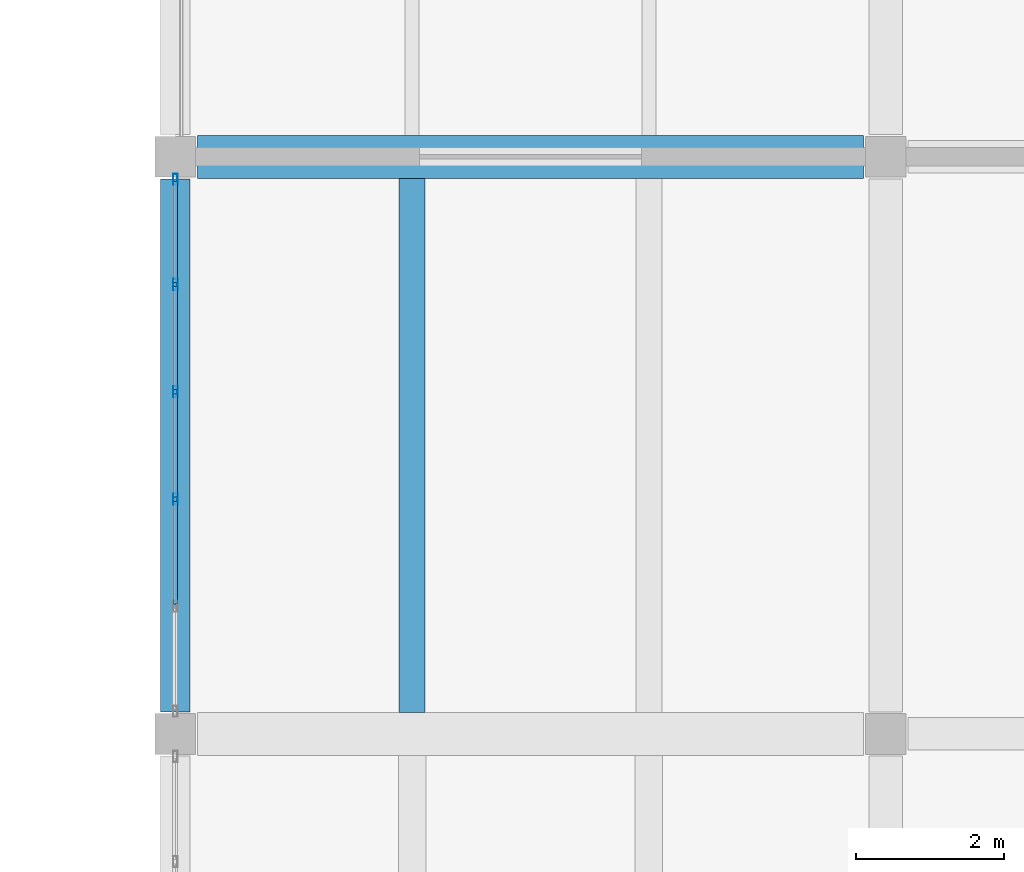
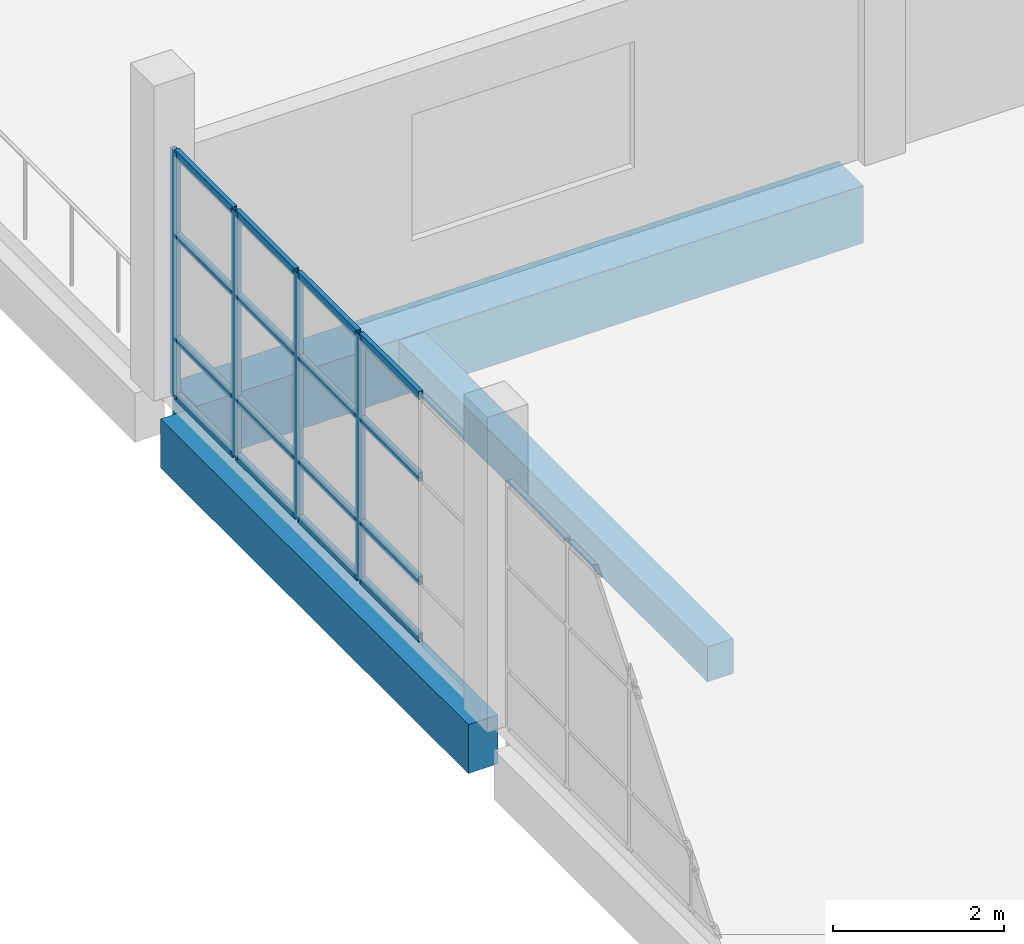
# One storey, part 24 of 67: 20 members, 3 beams, 1 element without a shape of its own.
"""IFC4 building model written with IfcOpenShell, lengths in metres."""

from ifc_helpers import new_model, si_unit, direction, frame, origin, origin_2d, place, context, subcontext, project, spatial, rectangle, hollow_rectangle, extrude, material, material_profile, profile_set, type_object, element, aggregate, save


model = new_model("IFC4")

# Units and contexts
model_context = context("Model", 3, precision=1e-05, world=origin(), true_north=direction((0.0, 1.0)))
body_context = subcontext(model_context, "Body", "Model", "MODEL_VIEW")
ifc_project = project(units=[si_unit("LENGTHUNIT", "METRE"), si_unit("AREAUNIT", "SQUARE_METRE"), si_unit("VOLUMEUNIT", "CUBIC_METRE"), si_unit("PLANEANGLEUNIT", "RADIAN"), si_unit("MASSUNIT", "GRAM", prefix="KILO")], contexts=[model_context])

# Site, building, storey
site_placement = place(None, origin())
site = spatial("IfcSite", under=ifc_project, at=site_placement, CompositionType="ELEMENT")
building_placement = place(site_placement, origin())
building = spatial("IfcBuilding", under=site, at=building_placement, Name="Pellamere Symphony Hall", CompositionType="ELEMENT")
storey_placement = place(building_placement, frame((0.0, 0.0, 19.5)))
storey = spatial("IfcBuildingStorey", under=building, at=storey_placement, Name="L04", CompositionType="ELEMENT", Elevation=19.5)

# Curtain wall, members
ifc_material_1 = material(Name="Thermally Broken Anodised Aluminium 6063-T6 Curtain Wall", Category="aluminium")
curtain_wall_type = type_object("IfcCurtainWallType", Name="Curtain Wall CW-05 (Artists Wing North Studio Ribbon Curtain Wall)", PredefinedType="NOTDEFINED", material=ifc_material_1)
curtain_wall_placement = place(storey_placement, origin())
curtain_wall = element("IfcCurtainWall", 1, at=curtain_wall_placement, inside=storey, type_object=curtain_wall_type, Name="Sculpture Court East Wing Curtain Wall (L04 Bay 2)", PredefinedType="NOTDEFINED")
ifc_material_2 = material(Name="Anodised Architectural Aluminium 6063-T6", Category="aluminium")
ifc_material_profile_1 = material_profile(ifc_material_2, hollow_rectangle(XDim=0.06005859375, YDim=0.14990234375, WallThickness=0.00390625, at=origin_2d()), Name="ALU-M60X150X4")
ifc_profile_set_1 = profile_set([ifc_material_profile_1], Name="Anodised Architectural Aluminium 6063-T6")
member_type_1 = type_object("IfcMemberType", Name="Curtain Wall Mullion ML-03 ALU-M60X150X4", PredefinedType="MULLION", material=ifc_profile_set_1)
member_1_placement = place(storey_placement, frame((138.0, 72.77490234375, 0.0), z_axis=(0.0, 0.0, 1.0), x_axis=(-1.0, 0.0, 0.0)))
member_1 = element("IfcMember", 2, at=member_1_placement, type_object=member_type_1, Name="CW5-147 crystal mullion 3", PredefinedType="MULLION", context=body_context, shape_type="SweptSolid", body=[
    extrude(hollow_rectangle(XDim=0.06005859375, YDim=0.14990234375, WallThickness=0.00390625, at=origin_2d()), origin(), (0.0, 0.0, 1.0), 3.52001953125),
])
member_2_placement = place(storey_placement, frame((138.0, 74.22509765625, 0.0), z_axis=(0.0, 0.0, 1.0), x_axis=(-1.0, 0.0, 0.0)))
member_2 = element("IfcMember", 3, at=member_2_placement, type_object=member_type_1, Name="CW5-147 crystal mullion 4", PredefinedType="MULLION", context=body_context, shape_type="SweptSolid", body=[
    extrude(hollow_rectangle(XDim=0.06005859375, YDim=0.14990234375, WallThickness=0.00390625, at=origin_2d()), origin(), (0.0, 0.0, 1.0), 3.52001953125),
])
member_3_placement = place(storey_placement, frame((138.0, 75.675048828125, 0.0), z_axis=(0.0, 0.0, 1.0), x_axis=(-1.0, 0.0, 0.0)))
member_3 = element("IfcMember", 4, at=member_3_placement, type_object=member_type_1, Name="CW5-147 crystal mullion 5", PredefinedType="MULLION", context=body_context, shape_type="SweptSolid", body=[
    extrude(hollow_rectangle(XDim=0.06005859375, YDim=0.14990234375, WallThickness=0.00390625, at=origin_2d()), origin(), (0.0, 0.0, 1.0), 3.52001953125),
])
member_4_placement = place(storey_placement, frame((138.0, 77.094970703125, 0.0), z_axis=(0.0, 0.0, 1.0), x_axis=(-1.0, 0.0, 0.0)))
member_4 = element("IfcMember", 5, at=member_4_placement, type_object=member_type_1, Name="CW5-147 crystal mullion 6", PredefinedType="MULLION", context=body_context, shape_type="SweptSolid", body=[
    extrude(hollow_rectangle(XDim=0.06005859375, YDim=0.14990234375, WallThickness=0.00390625, at=origin_2d()), origin(), (0.0, 0.0, 1.0), 3.52001953125),
])
ifc_material_profile_2 = material_profile(ifc_material_2, hollow_rectangle(XDim=0.06005859375, YDim=0.1201171875, WallThickness=0.00390625, at=origin_2d()), Name="ALU-T60X120X4")
ifc_profile_set_2 = profile_set([ifc_material_profile_2], Name="Anodised Architectural Aluminium 6063-T6")
member_type_2 = type_object("IfcMemberType", Name="Curtain Wall Transom TR-03 ALU-T60X120X4", PredefinedType="USERDEFINED", material=ifc_profile_set_2)
member_5_placement = place(storey_placement, frame((138.0, 71.35498046875, 0.030029296875), z_axis=(0.0, 1.0, 0.0), x_axis=(-1.0, 0.0, 0.0)))
member_5 = element("IfcMember", 6, at=member_5_placement, type_object=member_type_2, Name="CW5-147 crystal transom 2.1", ObjectType="TRANSOM", PredefinedType="USERDEFINED", context=body_context, shape_type="SweptSolid", body=[
    extrude(hollow_rectangle(XDim=0.06005859375, YDim=0.1201171875, WallThickness=0.00390625, at=origin_2d()), origin(), (0.0, 0.0, 1.0), 1.39013671875),
])
member_6_placement = place(storey_placement, frame((138.0, 71.35498046875, 0.8447265625), z_axis=(0.0, 1.0, 0.0), x_axis=(-1.0, 0.0, 0.0)))
member_6 = element("IfcMember", 7, at=member_6_placement, type_object=member_type_2, Name="CW5-147 crystal transom 2.2", ObjectType="TRANSOM", PredefinedType="USERDEFINED", context=body_context, shape_type="SweptSolid", body=[
    extrude(hollow_rectangle(XDim=0.06005859375, YDim=0.1201171875, WallThickness=0.00390625, at=origin_2d()), origin(), (0.0, 0.0, 1.0), 1.39013671875),
])
member_7_placement = place(storey_placement, frame((138.0, 71.35498046875, 2.3232421875), z_axis=(0.0, 1.0, 0.0), x_axis=(-1.0, 0.0, 0.0)))
member_7 = element("IfcMember", 8, at=member_7_placement, type_object=member_type_2, Name="CW5-147 crystal transom 2.3", ObjectType="TRANSOM", PredefinedType="USERDEFINED", context=body_context, shape_type="SweptSolid", body=[
    extrude(hollow_rectangle(XDim=0.06005859375, YDim=0.1201171875, WallThickness=0.00390625, at=origin_2d()), origin(), (0.0, 0.0, 1.0), 1.39013671875),
])
member_8_placement = place(storey_placement, frame((138.0, 71.35498046875, 3.489990234375), z_axis=(0.0, 1.0, 0.0), x_axis=(-1.0, 0.0, 0.0)))
member_8 = element("IfcMember", 9, at=member_8_placement, type_object=member_type_2, Name="CW5-147 crystal transom 2.4", ObjectType="TRANSOM", PredefinedType="USERDEFINED", context=body_context, shape_type="SweptSolid", body=[
    extrude(hollow_rectangle(XDim=0.06005859375, YDim=0.1201171875, WallThickness=0.00390625, at=origin_2d()), origin(), (0.0, 0.0, 1.0), 1.39013671875),
])
member_9_placement = place(storey_placement, frame((138.0, 72.804931640625, 0.030029296875), z_axis=(0.0, 1.0, 0.0), x_axis=(-1.0, 0.0, 0.0)))
member_9 = element("IfcMember", 10, at=member_9_placement, type_object=member_type_2, Name="CW5-147 crystal transom 3.1", ObjectType="TRANSOM", PredefinedType="USERDEFINED", context=body_context, shape_type="SweptSolid", body=[
    extrude(hollow_rectangle(XDim=0.06005859375, YDim=0.1201171875, WallThickness=0.00390625, at=origin_2d()), origin(), (0.0, 0.0, 1.0), 1.39013671875),
])
member_10_placement = place(storey_placement, frame((138.0, 72.804931640625, 0.8447265625), z_axis=(0.0, 1.0, 0.0), x_axis=(-1.0, 0.0, 0.0)))
member_10 = element("IfcMember", 11, at=member_10_placement, type_object=member_type_2, Name="CW5-147 crystal transom 3.2", ObjectType="TRANSOM", PredefinedType="USERDEFINED", context=body_context, shape_type="SweptSolid", body=[
    extrude(hollow_rectangle(XDim=0.06005859375, YDim=0.1201171875, WallThickness=0.00390625, at=origin_2d()), origin(), (0.0, 0.0, 1.0), 1.39013671875),
])
member_11_placement = place(storey_placement, frame((138.0, 72.804931640625, 2.3232421875), z_axis=(0.0, 1.0, 0.0), x_axis=(-1.0, 0.0, 0.0)))
member_11 = element("IfcMember", 12, at=member_11_placement, type_object=member_type_2, Name="CW5-147 crystal transom 3.3", ObjectType="TRANSOM", PredefinedType="USERDEFINED", context=body_context, shape_type="SweptSolid", body=[
    extrude(hollow_rectangle(XDim=0.06005859375, YDim=0.1201171875, WallThickness=0.00390625, at=origin_2d()), origin(), (0.0, 0.0, 1.0), 1.39013671875),
])
member_12_placement = place(storey_placement, frame((138.0, 72.804931640625, 3.489990234375), z_axis=(0.0, 1.0, 0.0), x_axis=(-1.0, 0.0, 0.0)))
member_12 = element("IfcMember", 13, at=member_12_placement, type_object=member_type_2, Name="CW5-147 crystal transom 3.4", ObjectType="TRANSOM", PredefinedType="USERDEFINED", context=body_context, shape_type="SweptSolid", body=[
    extrude(hollow_rectangle(XDim=0.06005859375, YDim=0.1201171875, WallThickness=0.00390625, at=origin_2d()), origin(), (0.0, 0.0, 1.0), 1.39013671875),
])
member_13_placement = place(storey_placement, frame((138.0, 74.2548828125, 0.030029296875), z_axis=(0.0, 1.0, 0.0), x_axis=(-1.0, 0.0, 0.0)))
member_13 = element("IfcMember", 14, at=member_13_placement, type_object=member_type_2, Name="CW5-147 crystal transom 4.1", ObjectType="TRANSOM", PredefinedType="USERDEFINED", context=body_context, shape_type="SweptSolid", body=[
    extrude(hollow_rectangle(XDim=0.06005859375, YDim=0.1201171875, WallThickness=0.00390625, at=origin_2d()), origin(), (0.0, 0.0, 1.0), 1.39013671875),
])
member_14_placement = place(storey_placement, frame((138.0, 74.2548828125, 0.8447265625), z_axis=(0.0, 1.0, 0.0), x_axis=(-1.0, 0.0, 0.0)))
member_14 = element("IfcMember", 15, at=member_14_placement, type_object=member_type_2, Name="CW5-147 crystal transom 4.2", ObjectType="TRANSOM", PredefinedType="USERDEFINED", context=body_context, shape_type="SweptSolid", body=[
    extrude(hollow_rectangle(XDim=0.06005859375, YDim=0.1201171875, WallThickness=0.00390625, at=origin_2d()), origin(), (0.0, 0.0, 1.0), 1.39013671875),
])
member_15_placement = place(storey_placement, frame((138.0, 74.2548828125, 2.3232421875), z_axis=(0.0, 1.0, 0.0), x_axis=(-1.0, 0.0, 0.0)))
member_15 = element("IfcMember", 16, at=member_15_placement, type_object=member_type_2, Name="CW5-147 crystal transom 4.3", ObjectType="TRANSOM", PredefinedType="USERDEFINED", context=body_context, shape_type="SweptSolid", body=[
    extrude(hollow_rectangle(XDim=0.06005859375, YDim=0.1201171875, WallThickness=0.00390625, at=origin_2d()), origin(), (0.0, 0.0, 1.0), 1.39013671875),
])
member_16_placement = place(storey_placement, frame((138.0, 74.2548828125, 3.489990234375), z_axis=(0.0, 1.0, 0.0), x_axis=(-1.0, 0.0, 0.0)))
member_16 = element("IfcMember", 17, at=member_16_placement, type_object=member_type_2, Name="CW5-147 crystal transom 4.4", ObjectType="TRANSOM", PredefinedType="USERDEFINED", context=body_context, shape_type="SweptSolid", body=[
    extrude(hollow_rectangle(XDim=0.06005859375, YDim=0.1201171875, WallThickness=0.00390625, at=origin_2d()), origin(), (0.0, 0.0, 1.0), 1.39013671875),
])
member_17_placement = place(storey_placement, frame((138.0, 75.705078125, 0.030029296875), z_axis=(0.0, 1.0, 0.0), x_axis=(-1.0, 0.0, 0.0)))
member_17 = element("IfcMember", 18, at=member_17_placement, type_object=member_type_2, Name="CW5-147 crystal transom 5.1", ObjectType="TRANSOM", PredefinedType="USERDEFINED", context=body_context, shape_type="SweptSolid", body=[
    extrude(hollow_rectangle(XDim=0.06005859375, YDim=0.1201171875, WallThickness=0.00390625, at=origin_2d()), origin(), (0.0, 0.0, 1.0), 1.35986328125),
])
member_18_placement = place(storey_placement, frame((138.0, 75.705078125, 0.8447265625), z_axis=(0.0, 1.0, 0.0), x_axis=(-1.0, 0.0, 0.0)))
member_18 = element("IfcMember", 19, at=member_18_placement, type_object=member_type_2, Name="CW5-147 crystal transom 5.2", ObjectType="TRANSOM", PredefinedType="USERDEFINED", context=body_context, shape_type="SweptSolid", body=[
    extrude(hollow_rectangle(XDim=0.06005859375, YDim=0.1201171875, WallThickness=0.00390625, at=origin_2d()), origin(), (0.0, 0.0, 1.0), 1.35986328125),
])
member_19_placement = place(storey_placement, frame((138.0, 75.705078125, 2.3232421875), z_axis=(0.0, 1.0, 0.0), x_axis=(-1.0, 0.0, 0.0)))
member_19 = element("IfcMember", 20, at=member_19_placement, type_object=member_type_2, Name="CW5-147 crystal transom 5.3", ObjectType="TRANSOM", PredefinedType="USERDEFINED", context=body_context, shape_type="SweptSolid", body=[
    extrude(hollow_rectangle(XDim=0.06005859375, YDim=0.1201171875, WallThickness=0.00390625, at=origin_2d()), origin(), (0.0, 0.0, 1.0), 1.35986328125),
])
member_20_placement = place(storey_placement, frame((138.0, 75.705078125, 3.489990234375), z_axis=(0.0, 1.0, 0.0), x_axis=(-1.0, 0.0, 0.0)))
member_20 = element("IfcMember", 21, at=member_20_placement, type_object=member_type_2, Name="CW5-147 crystal transom 5.4", ObjectType="TRANSOM", PredefinedType="USERDEFINED", context=body_context, shape_type="SweptSolid", body=[
    extrude(hollow_rectangle(XDim=0.06005859375, YDim=0.1201171875, WallThickness=0.00390625, at=origin_2d()), origin(), (0.0, 0.0, 1.0), 1.35986328125),
])
aggregate(curtain_wall, [member_1, member_2, member_3, member_4, member_5, member_6, member_7, member_8, member_9, member_10, member_11, member_12, member_13, member_14, member_15, member_16, member_17, member_18, member_19, member_20])

# Beams
ifc_material_3 = material(Name="Concrete 35 MPa", Category="concrete")
ifc_material_profile_3 = material_profile(ifc_material_3, rectangle(XDim=0.35009765625, YDim=0.5, at=origin_2d()), Name="RC 350x500")
ifc_profile_set_3 = profile_set([ifc_material_profile_3], Name="Concrete 35 MPa")
beam_type_1 = type_object("IfcBeamType", Name="RC CB-11 350x500", PredefinedType="BEAM", material=ifc_profile_set_3)
beam_1_placement = place(storey_placement, frame((141.199951171875, 69.889892578125, -0.52490234375), z_axis=(0.0, 1.0, 0.0), x_axis=(-1.0, 0.0, 0.0)))
element("IfcBeam", 22, at=beam_1_placement, inside=storey, type_object=beam_type_1, Name="Secondary Floor Beam CB-11-A1709 (L04)", PredefinedType="BEAM", context=body_context, shape_type="SweptSolid", body=[
    extrude(rectangle(XDim=0.35009765625, YDim=0.5, at=origin_2d()), origin(), (0.0, 0.0, 1.0), 7.22021484375),
])
ifc_material_4 = material(Name="Concrete 40 MPa", Category="concrete")
ifc_material_profile_4 = material_profile(ifc_material_4, rectangle(XDim=0.39990234375, YDim=0.699951171875, at=origin_2d()), Name="RC 400x700")
ifc_profile_set_4 = profile_set([ifc_material_profile_4], Name="Concrete 40 MPa")
beam_type_2 = type_object("IfcBeamType", Name="RC CB-13 400x700", PredefinedType="SPANDREL", material=ifc_profile_set_4)
beam_2_placement = place(storey_placement, frame((138.0, 69.89990234375, -0.610107421875), z_axis=(0.0, 1.0, 0.0), x_axis=(-1.0, 0.0, 0.0)))
element("IfcBeam", 23, at=beam_2_placement, inside=storey, type_object=beam_type_2, Name="Girder CB-13-Y1914 (L04)", PredefinedType="SPANDREL", context=body_context, shape_type="SweptSolid", body=[
    extrude(rectangle(XDim=0.39990234375, YDim=0.699951171875, at=origin_2d()), origin(), (0.0, 0.0, 1.0), 7.2001953125),
])
ifc_material_profile_5 = material_profile(ifc_material_4, rectangle(XDim=0.580078125, YDim=0.820068359375, at=origin_2d()), Name="RC 580x820")
ifc_profile_set_5 = profile_set([ifc_material_profile_5], Name="Concrete 40 MPa")
beam_type_3 = type_object("IfcBeamType", Name="RC CB-15 580x820", PredefinedType="BEAM", material=ifc_profile_set_5)
beam_3_placement = place(storey_placement, frame((138.300048828125, 77.39990234375, -0.669921875), z_axis=(1.0, 0.0, 0.0), x_axis=(0.0, 1.0, 0.0)))
element("IfcBeam", 24, at=beam_3_placement, inside=storey, type_object=beam_type_3, Name="Girder CB-15-X1860 (L04)", PredefinedType="BEAM", context=body_context, shape_type="SweptSolid", body=[
    extrude(rectangle(XDim=0.580078125, YDim=0.820068359375, at=origin_2d()), origin(), (0.0, 0.0, 1.0), 9.0),
])

save(model, "model.ifc")
